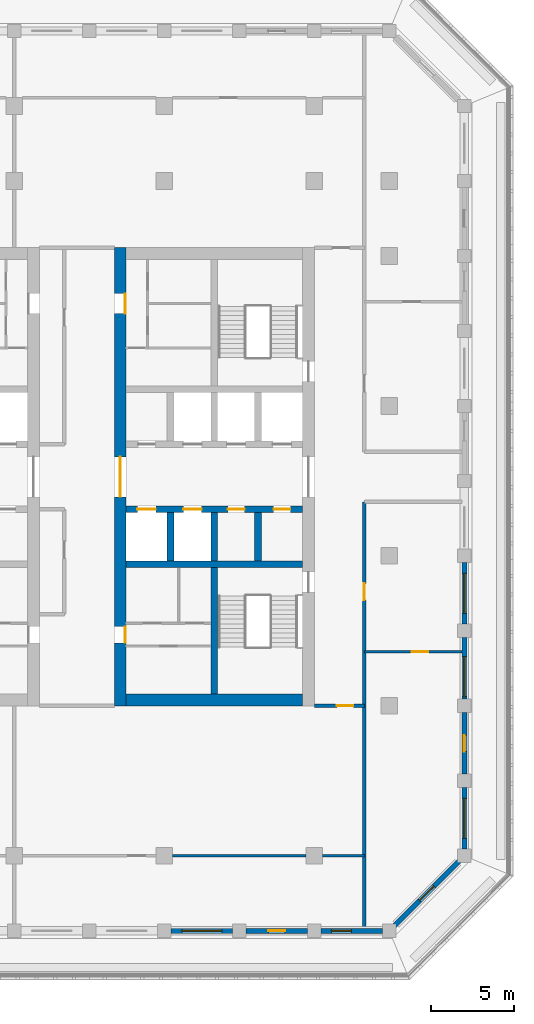
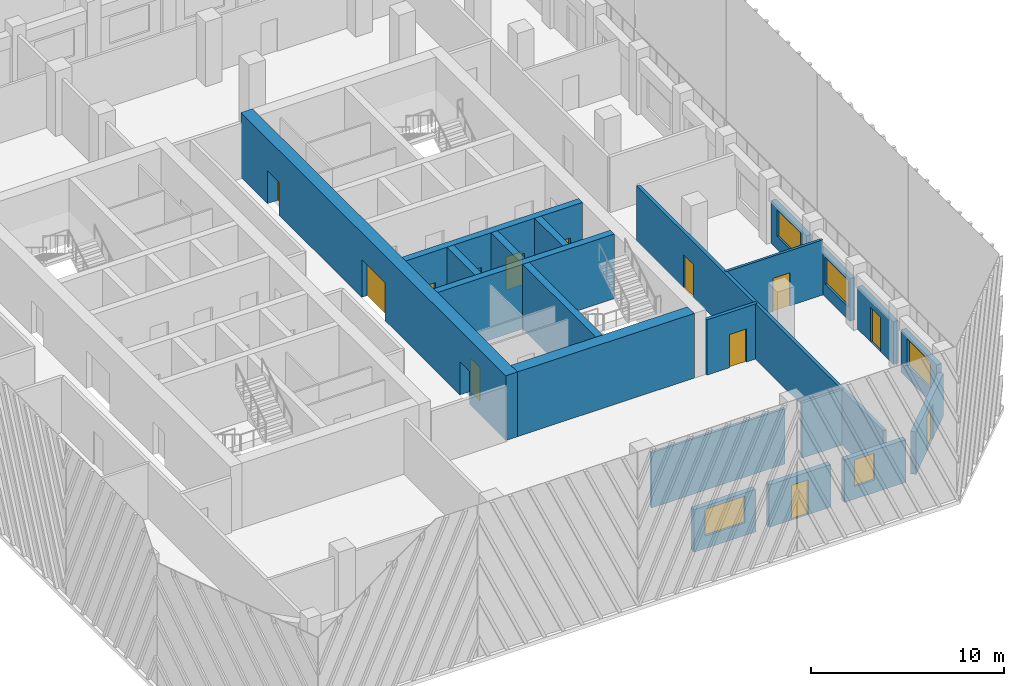
# One storey, part 4 of 17: 21 walls, 13 doors, 5 windows, 18 openings.
"""IFC4 building model written with IfcOpenShell, lengths in metres."""

from ifc_helpers import new_model, si_unit, direction, frame, frame_2d, origin, place, context, subcontext, project, spatial, rectangle, extrude, material, layer, layer_set, type_object, element, fill, save


model = new_model("IFC4")

# Units and contexts
model_context = context("Model", 3, precision=1e-05, world=origin(), true_north=direction((0.0, 1.0)))
body_context = subcontext(model_context, "Body", "Model", "MODEL_VIEW")
ifc_project = project(units=[si_unit("LENGTHUNIT", "METRE"), si_unit("AREAUNIT", "SQUARE_METRE"), si_unit("VOLUMEUNIT", "CUBIC_METRE"), si_unit("PLANEANGLEUNIT", "RADIAN"), si_unit("MASSUNIT", "GRAM", prefix="KILO")], contexts=[model_context])

# Site, building, storey
site_placement = place(None, origin())
site = spatial("IfcSite", under=ifc_project, at=site_placement, CompositionType="ELEMENT")
building_placement = place(site_placement, origin())
building = spatial("IfcBuilding", under=site, at=building_placement, Name="Corbel Stack Research Tower", CompositionType="ELEMENT")
storey_placement = place(building_placement, frame((0.0, 0.0, 256.199951171875)))
storey = spatial("IfcBuildingStorey", under=building, at=storey_placement, Name="L58", CompositionType="ELEMENT", Elevation=256.199951171875)

# Wall
ifc_material_1 = material(Name="Concrete C60/75", Category="concrete")
ifc_layer_1 = layer(ifc_material_1, 0.39990234375)
ifc_layer_set_1 = layer_set([ifc_layer_1], Name="Concrete C60/75")
wall_type_1 = type_object("IfcWallType", Name="CW-400-60", PredefinedType="SHEAR", material=ifc_layer_set_1)
wall_1_placement = place(storey_placement, frame((6.699951171875, -0.5, 0.0), z_axis=(0.0, 0.0, 1.0), x_axis=(1.0, 0.0, 0.0)))
element("IfcWall", 1, at=wall_1_placement, inside=storey, type_object=wall_type_1, Name="East core wall, south row back L58", PredefinedType="SHEAR", context=body_context, shape_type="SweptSolid", body=[
    extrude(rectangle(XDim=10.60009765625, YDim=0.39990234375, at=frame_2d((5.300048828125, 0.0))), origin(), (0.0, 0.0, 1.0), 4.10009765625),
])

# Wall, openings, doors
wall_2_placement = place(storey_placement, frame((6.699951171875, 2.800048828125, 0.0), z_axis=(0.0, 0.0, 1.0), x_axis=(1.0, 0.0, 0.0)))
wall_2 = element("IfcWall", 2, at=wall_2_placement, inside=storey, type_object=wall_type_1, Name="East core wall, lobby south L58", PredefinedType="SHEAR", context=body_context, shape_type="SweptSolid", body=[
    extrude(rectangle(XDim=10.60009765625, YDim=0.39990234375, at=frame_2d((5.300048828125, 0.0))), origin(), (0.0, 0.0, 1.0), 4.10009765625),
])
opening_1_placement = place(wall_2_placement, frame((0.6875, 0.0, 0.0)))
opening_1 = element("IfcOpeningElement", 3, at=opening_1_placement, cuts=wall_2, Name="Opening LD-FS2", PredefinedType="OPENING", context=body_context, shape_type="SweptSolid", body=[
    extrude(rectangle(XDim=1.10009765625, YDim=2.10009765625, at=frame_2d((0.550048828125, 1.050048828125))), frame((0.0, 0.2099609375, 0.0), z_axis=(0.0, -1.0, 0.0), x_axis=(1.0, 0.0, 0.0)), (0.0, 0.0, 1.0), 0.419921875),
])
opening_2_placement = place(wall_2_placement, frame((3.4375, 0.0, 0.0)))
opening_2 = element("IfcOpeningElement", 4, at=opening_2_placement, cuts=wall_2, Name="Opening LD-GL2", PredefinedType="OPENING", context=body_context, shape_type="SweptSolid", body=[
    extrude(rectangle(XDim=1.10009765625, YDim=2.10009765625, at=frame_2d((0.550048828125, 1.050048828125))), frame((0.0, 0.2099609375, 0.0), z_axis=(0.0, -1.0, 0.0), x_axis=(1.0, 0.0, 0.0)), (0.0, 0.0, 1.0), 0.419921875),
])
opening_3_placement = place(wall_2_placement, frame((6.112548828125, 0.0, 0.0)))
opening_3 = element("IfcOpeningElement", 5, at=opening_3_placement, cuts=wall_2, Name="Opening CR-E24-S3", PredefinedType="OPENING", context=body_context, shape_type="SweptSolid", body=[
    extrude(rectangle(XDim=1.0, YDim=2.10009765625, at=frame_2d((0.5, 1.050048828125))), frame((0.0, 0.2099609375, 0.0), z_axis=(0.0, -1.0, 0.0), x_axis=(1.0, 0.0, 0.0)), (0.0, 0.0, 1.0), 0.419921875),
])
opening_4_placement = place(wall_2_placement, frame((8.862548828125, 0.0, 0.0)))
opening_4 = element("IfcOpeningElement", 6, at=opening_4_placement, cuts=wall_2, Name="Opening CR-E24-S4", PredefinedType="OPENING", context=body_context, shape_type="SweptSolid", body=[
    extrude(rectangle(XDim=1.0, YDim=2.10009765625, at=frame_2d((0.5, 1.050048828125))), frame((0.0, 0.2099609375, 0.0), z_axis=(0.0, -1.0, 0.0), x_axis=(1.0, 0.0, 0.0)), (0.0, 0.0, 1.0), 0.419921875),
])
ifc_material_2 = material(Name="Stainless steel landing door", Category="steel")
door_type_1 = type_object("IfcDoorType", Name="Lift landing door 1100 x 2100", OperationType="DOUBLE_DOOR_SLIDING", PredefinedType="DOOR", material=ifc_material_2)
door_1_placement = place(opening_1_placement, origin())
door_1 = element("IfcDoor", 7, at=door_1_placement, inside=storey, type_object=door_type_1, Name="Landing door FS2", OperationType="DOUBLE_DOOR_SLIDING", OverallHeight=2.10009765625, OverallWidth=1.10009765625, PredefinedType="DOOR", context=body_context, shape_type="SweptSolid", body=[
    extrude(rectangle(XDim=1.10009765625, YDim=2.10009765625, at=frame_2d((0.550048828125, 1.050048828125))), frame((0.0, 0.02490234375, 0.0), z_axis=(0.0, -1.0, 0.0), x_axis=(1.0, 0.0, 0.0)), (0.0, 0.0, 1.0), 0.050048828125),
])
fill(opening_1, door_1)
door_2_placement = place(opening_2_placement, origin())
door_2 = element("IfcDoor", 8, at=door_2_placement, inside=storey, type_object=door_type_1, Name="Landing door GL2", OperationType="DOUBLE_DOOR_SLIDING", OverallHeight=2.10009765625, OverallWidth=1.10009765625, PredefinedType="DOOR", context=body_context, shape_type="SweptSolid", body=[
    extrude(rectangle(XDim=1.10009765625, YDim=2.10009765625, at=frame_2d((0.550048828125, 1.050048828125))), frame((0.0, 0.02490234375, 0.0), z_axis=(0.0, -1.0, 0.0), x_axis=(1.0, 0.0, 0.0)), (0.0, 0.0, 1.0), 0.050048828125),
])
fill(opening_2, door_2)
ifc_material_3 = material(Name="Painted steel door", Category="steel")
door_type_2 = type_object("IfcDoorType", Name="Service door 1000 x 2100 FD60 left hand", OperationType="SINGLE_SWING_LEFT", PredefinedType="DOOR", material=ifc_material_3)
door_3_placement = place(opening_3_placement, origin())
door_3 = element("IfcDoor", 9, at=door_3_placement, inside=storey, type_object=door_type_2, Name="Staff WC door E core", OperationType="SINGLE_SWING_LEFT", OverallHeight=2.10009765625, OverallWidth=1.0, PredefinedType="DOOR", context=body_context, shape_type="SweptSolid", body=[
    extrude(rectangle(XDim=1.0, YDim=2.10009765625, at=frame_2d((0.5, 1.050048828125))), frame((0.0, 0.02490234375, 0.0), z_axis=(0.0, -1.0, 0.0), x_axis=(1.0, 0.0, 0.0)), (0.0, 0.0, 1.0), 0.050048828125),
])
fill(opening_3, door_3)
ifc_material_4 = material(Name="Painted steel door", Category="steel")
door_type_3 = type_object("IfcDoorType", Name="Service door 1000 x 2100 FD60 right hand", OperationType="SINGLE_SWING_RIGHT", PredefinedType="DOOR", material=ifc_material_4)
door_4_placement = place(opening_4_placement, origin())
door_4 = element("IfcDoor", 10, at=door_4_placement, inside=storey, type_object=door_type_3, Name="Laboratory consumables store door E core", OperationType="SINGLE_SWING_RIGHT", OverallHeight=2.10009765625, OverallWidth=1.0, PredefinedType="DOOR", context=body_context, shape_type="SweptSolid", body=[
    extrude(rectangle(XDim=1.0, YDim=2.10009765625, at=frame_2d((0.5, 1.050048828125))), frame((0.0, 0.02490234375, 0.0), z_axis=(0.0, -1.0, 0.0), x_axis=(1.0, 0.0, 0.0)), (0.0, 0.0, 1.0), 0.050048828125),
])
fill(opening_4, door_4)

# Walls
for number, where, z_axis, x_axis, name in (
    (11, (9.375, -0.300048828125, 0.0), (0.0, 0.0, 1.0), (0.0, 1.0, 0.0), "East core wall, south shaft 1 L58"),
    (12, (12.0, -0.300048828125, 0.0), (0.0, 0.0, 1.0), (0.0, 1.0, 0.0), "East core wall, south shaft 2 L58"),
    (13, (14.625, -0.300048828125, 0.0), (0.0, 0.0, 1.0), (0.0, 1.0, 0.0), "East core wall, south shaft 3 L58"),
):
    element("IfcWall", number, at=place(storey_placement, frame(where, z_axis=z_axis, x_axis=x_axis)), inside=storey, type_object=wall_type_1, Name=name, PredefinedType="SHEAR", context=body_context, shape_type="SweptSolid", body=[
        extrude(rectangle(XDim=2.900146484375, YDim=0.39990234375, at=frame_2d((1.4501953125, 0.0))), origin(), (0.0, 0.0, 1.0), 4.10009765625),
    ])
wall_3_placement = place(storey_placement, frame((12.0, -8.300048828125, 0.0), z_axis=(0.0, 0.0, 1.0), x_axis=(0.0, 1.0, 0.0)))
element("IfcWall", 14, at=wall_3_placement, inside=storey, type_object=wall_type_1, Name="East core wall, south stair and WC L58", PredefinedType="SHEAR", context=body_context, shape_type="SweptSolid", body=[
    extrude(rectangle(XDim=7.60009765625, YDim=0.39990234375, at=frame_2d((3.800048828125, 0.0))), origin(), (0.0, 0.0, 1.0), 4.10009765625),
])

# Wall, openings, doors
ifc_material_5 = material(Name="Concrete C60/75", Category="concrete")
ifc_layer_2 = layer(ifc_material_5, 0.699951171875)
ifc_layer_set_2 = layer_set([ifc_layer_2], Name="Concrete C60/75")
wall_type_2 = type_object("IfcWallType", Name="CW-700-60", PredefinedType="SHEAR", material=ifc_layer_set_2)
wall_4_placement = place(storey_placement, frame((6.35009765625, -9.0, 0.0), z_axis=(0.0, 0.0, 1.0), x_axis=(0.0, 1.0, 0.0)))
wall_4 = element("IfcWall", 15, at=wall_4_placement, inside=storey, type_object=wall_type_2, Name="East core wall, west face L58", PredefinedType="SHEAR", context=body_context, shape_type="SweptSolid", body=[
    extrude(rectangle(XDim=27.5, YDim=0.699951171875, at=frame_2d((13.75, 0.0))), origin(), (0.0, 0.0, 1.0), 4.10009765625),
])
opening_5_placement = place(wall_4_placement, frame((12.550048828125, 0.0, 0.0)))
opening_5 = element("IfcOpeningElement", 16, at=opening_5_placement, cuts=wall_4, Name="Opening CD-E-W", PredefinedType="OPENING", context=body_context, shape_type="SweptSolid", body=[
    extrude(rectangle(XDim=2.39990234375, YDim=2.39990234375, at=frame_2d((1.199951171875, 1.199951171875))), frame((0.0, 0.35986328125, 0.0), z_axis=(0.0, -1.0, 0.0), x_axis=(1.0, 0.0, 0.0)), (0.0, 0.0, 1.0), 0.719970703125),
])
opening_6_placement = place(wall_4_placement, frame((3.7880859375, 0.0, 0.0)))
opening_6 = element("IfcOpeningElement", 17, at=opening_6_placement, cuts=wall_4, Name="Opening CR-E24-W1-968", PredefinedType="OPENING", context=body_context, shape_type="SweptSolid", body=[
    extrude(rectangle(XDim=0.968017578125, YDim=2.10009765625, at=frame_2d((0.48388671875, 1.050048828125))), frame((0.0, 0.35986328125, 0.0), z_axis=(0.0, -1.0, 0.0), x_axis=(1.0, 0.0, 0.0)), (0.0, 0.0, 1.0), 0.719970703125),
])
opening_7_placement = place(wall_4_placement, frame((23.5400390625, 0.0, 0.0)))
opening_7 = element("IfcOpeningElement", 18, at=opening_7_placement, cuts=wall_4, Name="Opening CR-E24-R2-1200", PredefinedType="OPENING", context=body_context, shape_type="SweptSolid", body=[
    extrude(rectangle(XDim=1.199951171875, YDim=2.10009765625, at=frame_2d((0.60009765625, 1.050048828125))), frame((0.0, 0.35986328125, 0.0), z_axis=(0.0, -1.0, 0.0), x_axis=(1.0, 0.0, 0.0)), (0.0, 0.0, 1.0), 0.719970703125),
])
ifc_material_6 = material(Name="Painted steel fire door", Category="steel")
door_type_4 = type_object("IfcDoorType", Name="Lobby door pair 2400 x 2400 FD30S", OperationType="DOUBLE_DOOR_DOUBLE_SWING", PredefinedType="DOOR", material=ifc_material_6)
door_5_placement = place(opening_5_placement, origin())
door_5 = element("IfcDoor", 19, at=door_5_placement, inside=storey, type_object=door_type_4, Name="Lift lobby door E core W", OperationType="DOUBLE_DOOR_DOUBLE_SWING", OverallHeight=2.39990234375, OverallWidth=2.39990234375, PredefinedType="DOOR", context=body_context, shape_type="SweptSolid", body=[
    extrude(rectangle(XDim=2.39990234375, YDim=2.39990234375, at=frame_2d((1.199951171875, 1.199951171875))), frame((0.0, 0.02490234375, 0.0), z_axis=(0.0, -1.0, 0.0), x_axis=(1.0, 0.0, 0.0)), (0.0, 0.0, 1.0), 0.050048828125),
])
fill(opening_5, door_5)
ifc_material_7 = material(Name="Painted steel door", Category="steel")
door_type_5 = type_object("IfcDoorType", Name="Service door 1200 x 2100 FD30 left hand", OperationType="SINGLE_SWING_LEFT", PredefinedType="DOOR", material=ifc_material_7)
door_6_placement = place(opening_7_placement, origin())
door_6 = element("IfcDoor", 20, at=door_6_placement, inside=storey, type_object=door_type_5, Name="Service passage door E core", OperationType="SINGLE_SWING_LEFT", OverallHeight=2.10009765625, OverallWidth=1.199951171875, PredefinedType="DOOR", context=body_context, shape_type="SweptSolid", body=[
    extrude(rectangle(XDim=1.199951171875, YDim=2.10009765625, at=frame_2d((0.60009765625, 1.050048828125))), frame((0.0, -0.27490234375, 0.0), z_axis=(0.0, -1.0, 0.0), x_axis=(1.0, 0.0, 0.0)), (0.0, 0.0, 1.0), 0.050048828125),
])
fill(opening_7, door_6)
ifc_material_8 = material(Name="Painted timber door", Category="wood")
door_type_6 = type_object("IfcDoorType", Name="WC door 968 x 2100 right hand", OperationType="SINGLE_SWING_RIGHT", PredefinedType="DOOR", material=ifc_material_8)
door_7_placement = place(opening_6_placement, origin())
door_7 = element("IfcDoor", 21, at=door_7_placement, inside=storey, type_object=door_type_6, Name="WC lobby door E core", OperationType="SINGLE_SWING_RIGHT", OverallHeight=2.10009765625, OverallWidth=0.968017578125, PredefinedType="DOOR", context=body_context, shape_type="SweptSolid", body=[
    extrude(rectangle(XDim=0.968017578125, YDim=2.10009765625, at=frame_2d((0.48388671875, 1.050048828125))), frame((0.0, -0.27490234375, 0.0), z_axis=(0.0, -1.0, 0.0), x_axis=(1.0, 0.0, 0.0)), (0.0, 0.0, 1.0), 0.050048828125),
])
fill(opening_6, door_7)

# Wall
wall_5_placement = place(storey_placement, frame((6.699951171875, -8.64990234375, 0.0), z_axis=(0.0, 0.0, 1.0), x_axis=(1.0, 0.0, 0.0)))
element("IfcWall", 22, at=wall_5_placement, inside=storey, type_object=wall_type_2, Name="East core wall, south end L58", PredefinedType="SHEAR", context=body_context, shape_type="SweptSolid", body=[
    extrude(rectangle(XDim=10.60009765625, YDim=0.699951171875, at=frame_2d((5.300048828125, 0.0))), origin(), (0.0, 0.0, 1.0), 4.10009765625),
])

# Wall, opening, door
ifc_material_9 = material(Name="Fire-rated gypsum board partition on steel studs", Category="steel")
ifc_layer_3 = layer(ifc_material_9, 0.199951171875)
ifc_layer_set_3 = layer_set([ifc_layer_3], Name="Fire-rated gypsum board partition on steel studs")
wall_type_3 = type_object("IfcWallType", Name="Fire-rated partition 200 EI 60", PredefinedType="PARTITIONING", material=ifc_layer_set_3)
wall_6_placement = place(storey_placement, frame((21.0, 3.25, 0.0), z_axis=(0.0, 0.0, 1.0), x_axis=(0.0, -1.0, 0.0)))
wall_6 = element("IfcWall", 23, at=wall_6_placement, inside=storey, type_object=wall_type_3, Name="Partition L58-010", PredefinedType="PARTITIONING", context=body_context, shape_type="SweptSolid", body=[
    extrude(rectangle(XDim=25.60009765625, YDim=0.199951171875, at=frame_2d((12.800048828125, 0.0))), origin(), (0.0, 0.0, 1.0), 3.5),
])
opening_8_placement = place(wall_6_placement, frame((4.89990234375, 0.0, 0.0)))
opening_8 = element("IfcOpeningElement", 24, at=opening_8_placement, cuts=wall_6, Name="Opening B7V2-015", PredefinedType="OPENING", context=body_context, shape_type="SweptSolid", body=[
    extrude(rectangle(XDim=1.0, YDim=2.10009765625, at=frame_2d((0.5, 1.050048828125))), frame((0.0, 0.10986328125, 0.0), z_axis=(0.0, -1.0, 0.0), x_axis=(1.0, 0.0, 0.0)), (0.0, 0.0, 1.0), 0.219970703125),
])
ifc_material_10 = material(Name="Painted steel fire door", Category="steel")
door_type_7 = type_object("IfcDoorType", Name="Fire door FD30S 1000 x 2100", OperationType="NOTDEFINED", PredefinedType="DOOR", material=ifc_material_10)
door_8_placement = place(opening_8_placement, origin())
door_8 = element("IfcDoor", 25, at=door_8_placement, inside=storey, type_object=door_type_7, Name="Door B7V2-015", OperationType="SINGLE_SWING_LEFT", OverallHeight=2.10009765625, OverallWidth=1.0, PredefinedType="DOOR", context=body_context, shape_type="SweptSolid", body=[
    extrude(rectangle(XDim=1.0, YDim=2.10009765625, at=frame_2d((0.5, 1.050048828125))), frame((0.0, 0.02490234375, 0.0), z_axis=(0.0, -1.0, 0.0), x_axis=(1.0, 0.0, 0.0)), (0.0, 0.0, 1.0), 0.050048828125),
])
fill(opening_8, door_8)

wall_7_placement = place(storey_placement, frame((21.0, -9.0, 0.0), z_axis=(0.0, 0.0, 1.0), x_axis=(-1.0, 0.0, 0.0)))
wall_7 = element("IfcWall", 26, at=wall_7_placement, inside=storey, type_object=wall_type_3, Name="Partition L58-019", PredefinedType="PARTITIONING", context=body_context, shape_type="SweptSolid", body=[
    extrude(rectangle(XDim=3.0, YDim=0.199951171875, at=frame_2d((1.5, 0.0))), origin(), (0.0, 0.0, 1.0), 3.5),
])
opening_9_placement = place(wall_7_placement, frame((0.64990234375, 0.0, 0.0)))
opening_9 = element("IfcOpeningElement", 27, at=opening_9_placement, cuts=wall_7, Name="Opening B7V2-006", PredefinedType="OPENING", context=body_context, shape_type="SweptSolid", body=[
    extrude(rectangle(XDim=1.0, YDim=2.10009765625, at=frame_2d((0.5, 1.050048828125))), frame((0.0, 0.10986328125, 0.0), z_axis=(0.0, -1.0, 0.0), x_axis=(1.0, 0.0, 0.0)), (0.0, 0.0, 1.0), 0.219970703125),
])
door_9_placement = place(opening_9_placement, origin())
door_9 = element("IfcDoor", 28, at=door_9_placement, inside=storey, type_object=door_type_7, Name="Door B7V2-006", OperationType="SINGLE_SWING_LEFT", OverallHeight=2.10009765625, OverallWidth=1.0, PredefinedType="DOOR", context=body_context, shape_type="SweptSolid", body=[
    extrude(rectangle(XDim=1.0, YDim=2.10009765625, at=frame_2d((0.5, 1.050048828125))), frame((0.0, 0.02490234375, 0.0), z_axis=(0.0, -1.0, 0.0), x_axis=(1.0, 0.0, 0.0)), (0.0, 0.0, 1.0), 0.050048828125),
])
fill(opening_9, door_9)

# Walls
ifc_material_11 = material(Name="Gypsum board partition on steel studs", Category="steel")
ifc_layer_4 = layer(ifc_material_11, 0.14990234375)
ifc_layer_set_4 = layer_set([ifc_layer_4], Name="Gypsum board partition on steel studs")
wall_type_4 = type_object("IfcWallType", Name="Partition 150", PredefinedType="PARTITIONING", material=ifc_layer_set_4)
wall_8_placement = place(storey_placement, frame((9.5, -18.0, 0.0), z_axis=(0.0, 0.0, 1.0), x_axis=(1.0, 0.0, 0.0)))
element("IfcWall", 29, at=wall_8_placement, inside=storey, type_object=wall_type_4, Name="Partition L58-015", PredefinedType="PARTITIONING", context=body_context, shape_type="SweptSolid", body=[
    extrude(rectangle(XDim=8.0, YDim=0.14990234375, at=frame_2d((4.0, 0.0))), origin(), (0.0, 0.0, 1.0), 3.5),
])
wall_9_placement = place(storey_placement, frame((18.5, -18.0, 0.0), z_axis=(0.0, 0.0, 1.0), x_axis=(1.0, 0.0, 0.0)))
element("IfcWall", 30, at=wall_9_placement, inside=storey, type_object=wall_type_4, Name="Partition L58-016", PredefinedType="PARTITIONING", context=body_context, shape_type="SweptSolid", body=[
    extrude(rectangle(XDim=2.5, YDim=0.14990234375, at=frame_2d((1.25, 0.0))), origin(), (0.0, 0.0, 1.0), 3.5),
])

# Wall, opening, door
wall_10_placement = place(storey_placement, frame((26.85009765625, -5.75, 0.0), z_axis=(0.0, 0.0, 1.0), x_axis=(-1.0, 0.0, 0.0)))
wall_10 = element("IfcWall", 31, at=wall_10_placement, inside=storey, type_object=wall_type_4, Name="Partition L58-021", PredefinedType="PARTITIONING", context=body_context, shape_type="SweptSolid", body=[
    extrude(rectangle(XDim=5.85009765625, YDim=0.14990234375, at=frame_2d((2.925048828125, 0.0))), origin(), (0.0, 0.0, 1.0), 3.5),
])
opening_10_placement = place(wall_10_placement, frame((2.0, 0.0, 0.0)))
opening_10 = element("IfcOpeningElement", 32, at=opening_10_placement, cuts=wall_10, Name="Opening B7V2-008", PredefinedType="OPENING", context=body_context, shape_type="SweptSolid", body=[
    extrude(rectangle(XDim=1.0, YDim=2.10009765625, at=frame_2d((0.5, 1.050048828125))), frame((0.0, 0.0849609375, 0.0), z_axis=(0.0, -1.0, 0.0), x_axis=(1.0, 0.0, 0.0)), (0.0, 0.0, 1.0), 0.169921875),
])
ifc_material_12 = material(Name="Painted timber door", Category="wood")
door_type_8 = type_object("IfcDoorType", Name="Single door 1000 x 2100", OperationType="NOTDEFINED", PredefinedType="DOOR", material=ifc_material_12)
door_10_placement = place(opening_10_placement, origin())
door_10 = element("IfcDoor", 33, at=door_10_placement, inside=storey, type_object=door_type_8, Name="Door B7V2-008", OperationType="SINGLE_SWING_LEFT", OverallHeight=2.10009765625, OverallWidth=1.0, PredefinedType="DOOR", context=body_context, shape_type="SweptSolid", body=[
    extrude(rectangle(XDim=1.0, YDim=2.10009765625, at=frame_2d((0.5, 1.050048828125))), frame((0.0, 0.02490234375, 0.0), z_axis=(0.0, -1.0, 0.0), x_axis=(1.0, 0.0, 0.0)), (0.0, 0.0, 1.0), 0.050048828125),
])
fill(opening_10, door_10)

# Wall, opening, window
ifc_material_13 = material(Name="Concrete C45/55", Category="concrete")
ifc_layer_5 = layer(ifc_material_13, 0.300048828125)
ifc_layer_set_5 = layer_set([ifc_layer_5], Name="Concrete C45/55")
wall_type_5 = type_object("IfcWallType", Name="Terracotta-faced concrete wall 300", PredefinedType="SOLIDWALL", material=ifc_layer_set_5)
wall_11_placement = place(storey_placement, frame((13.10009765625, -22.5, 0.0), z_axis=(0.0, 0.0, 1.0), x_axis=(-1.0, 0.0, 0.0)))
wall_11 = element("IfcWall", 34, at=wall_11_placement, inside=storey, type_object=wall_type_5, Name="Facade wall L58 S06", PredefinedType="SOLIDWALL", context=body_context, shape_type="SweptSolid", body=[
    extrude(rectangle(XDim=3.7001953125, YDim=0.300048828125, at=frame_2d((1.85009765625, 0.0))), origin(), (0.0, 0.0, 1.0), 2.699951171875),
])
opening_11_placement = place(wall_11_placement, frame((0.64990234375, 0.0, 0.800048828125)))
opening_11 = element("IfcOpeningElement", 35, at=opening_11_placement, cuts=wall_11, Name="Opening W1", PredefinedType="OPENING", context=body_context, shape_type="SweptSolid", body=[
    extrude(rectangle(XDim=2.39990234375, YDim=1.699951171875, at=frame_2d((1.199951171875, 0.85009765625))), frame((0.0, 0.159912109375, 0.0), z_axis=(0.0, -1.0, 0.0), x_axis=(1.0, 0.0, 0.0)), (0.0, 0.0, 1.0), 0.320068359375),
])
ifc_material_14 = material(Name="Aluminium frame, clear double glazing", Category="aluminium")
window_type_1 = type_object("IfcWindowType", Name="Window W1 2400 x 1700", PartitioningType="SINGLE_PANEL", PredefinedType="WINDOW", material=ifc_material_14)
window_1_placement = place(opening_11_placement, origin())
window_1 = element("IfcWindow", 36, at=window_1_placement, inside=storey, type_object=window_type_1, Name="Window W1 L58 S06", OverallHeight=1.699951171875, OverallWidth=2.39990234375, PartitioningType="SINGLE_PANEL", PredefinedType="WINDOW", context=body_context, shape_type="SweptSolid", body=[
    extrude(rectangle(XDim=2.39990234375, YDim=1.699951171875, at=frame_2d((1.199951171875, 0.85009765625))), frame((0.0, 0.030029296875, 0.0), z_axis=(0.0, -1.0, 0.0), x_axis=(1.0, 0.0, 0.0)), (0.0, 0.0, 1.0), 0.06005859375),
])
fill(opening_11, window_1)

# Wall, opening, door
wall_12_placement = place(storey_placement, frame((17.60009765625, -22.5, 0.0), z_axis=(0.0, 0.0, 1.0), x_axis=(-1.0, 0.0, 0.0)))
wall_12 = element("IfcWall", 37, at=wall_12_placement, inside=storey, type_object=wall_type_5, Name="Facade wall L58 S07", PredefinedType="SOLIDWALL", context=body_context, shape_type="SweptSolid", body=[
    extrude(rectangle(XDim=3.7001953125, YDim=0.300048828125, at=frame_2d((1.85009765625, 0.0))), origin(), (0.0, 0.0, 1.0), 2.699951171875),
])
opening_12_placement = place(wall_12_placement, frame((1.35009765625, 0.0, 0.0)))
opening_12 = element("IfcOpeningElement", 38, at=opening_12_placement, cuts=wall_12, Name="Opening L58-B02", PredefinedType="OPENING", context=body_context, shape_type="SweptSolid", body=[
    extrude(rectangle(XDim=1.0, YDim=2.199951171875, at=frame_2d((0.5, 1.10009765625))), frame((0.0, 0.159912109375, 0.0), z_axis=(0.0, -1.0, 0.0), x_axis=(1.0, 0.0, 0.0)), (0.0, 0.0, 1.0), 0.320068359375),
])
ifc_material_15 = material(Name="Aluminium frame, clear double glazing", Category="aluminium")
door_type_9 = type_object("IfcDoorType", Name="Balcony door BD1 1000 x 2200", OperationType="NOTDEFINED", PredefinedType="DOOR", material=ifc_material_15)
door_11_placement = place(opening_12_placement, origin())
door_11 = element("IfcDoor", 39, at=door_11_placement, inside=storey, type_object=door_type_9, Name="Balcony door L58-B02", OperationType="SINGLE_SWING_LEFT", OverallHeight=2.199951171875, OverallWidth=1.0, PredefinedType="DOOR", context=body_context, shape_type="SweptSolid", body=[
    extrude(rectangle(XDim=1.0, YDim=2.199951171875, at=frame_2d((0.5, 1.10009765625))), frame((0.0, 0.02490234375, 0.0), z_axis=(0.0, -1.0, 0.0), x_axis=(1.0, 0.0, 0.0)), (0.0, 0.0, 1.0), 0.050048828125),
])
fill(opening_12, door_11)

# Wall, opening, window
wall_13_placement = place(storey_placement, frame((22.10009765625, -22.5, 0.0), z_axis=(0.0, 0.0, 1.0), x_axis=(-1.0, 0.0, 0.0)))
wall_13 = element("IfcWall", 40, at=wall_13_placement, inside=storey, type_object=wall_type_5, Name="Facade wall L58 S08", PredefinedType="SOLIDWALL", context=body_context, shape_type="SweptSolid", body=[
    extrude(rectangle(XDim=3.7001953125, YDim=0.300048828125, at=frame_2d((1.85009765625, 0.0))), origin(), (0.0, 0.0, 1.0), 2.699951171875),
])
opening_13_placement = place(wall_13_placement, frame((1.875, 0.0, 0.800048828125)))
opening_13 = element("IfcOpeningElement", 41, at=opening_13_placement, cuts=wall_13, Name="Opening W2", PredefinedType="OPENING", context=body_context, shape_type="SweptSolid", body=[
    extrude(rectangle(XDim=1.199951171875, YDim=1.699951171875, at=frame_2d((0.60009765625, 0.85009765625))), frame((0.0, 0.159912109375, 0.0), z_axis=(0.0, -1.0, 0.0), x_axis=(1.0, 0.0, 0.0)), (0.0, 0.0, 1.0), 0.320068359375),
])
ifc_material_16 = material(Name="Aluminium frame, clear double glazing", Category="aluminium")
window_type_2 = type_object("IfcWindowType", Name="Window W2 1200 x 1700", PartitioningType="SINGLE_PANEL", PredefinedType="WINDOW", material=ifc_material_16)
window_2_placement = place(opening_13_placement, origin())
window_2 = element("IfcWindow", 42, at=window_2_placement, inside=storey, type_object=window_type_2, Name="Window W2 L58 S08", OverallHeight=1.699951171875, OverallWidth=1.199951171875, PartitioningType="SINGLE_PANEL", PredefinedType="WINDOW", context=body_context, shape_type="SweptSolid", body=[
    extrude(rectangle(XDim=1.199951171875, YDim=1.699951171875, at=frame_2d((0.60009765625, 0.85009765625))), frame((0.0, 0.030029296875, 0.0), z_axis=(0.0, -1.0, 0.0), x_axis=(1.0, 0.0, 0.0)), (0.0, 0.0, 1.0), 0.06005859375),
])
fill(opening_13, window_2)

# Wall, opening, door
wall_14_placement = place(storey_placement, frame((26.7060546875, -18.2939453125, 0.0), z_axis=(0.0, 0.0, 1.0), x_axis=(-0.707106781187, -0.707106781187, 0.0)))
wall_14 = element("IfcWall", 43, at=wall_14_placement, inside=storey, type_object=wall_type_5, Name="Facade wall L58 SE01", PredefinedType="SOLIDWALL", context=body_context, shape_type="SweptSolid", body=[
    extrude(rectangle(XDim=5.532470703125, YDim=0.300048828125, at=frame_2d((2.76611328125, 0.0))), origin(), (0.0, 0.0, 1.0), 2.699951171875),
])
opening_14_placement = place(wall_14_placement, frame((2.166259765625, 0.0, 0.0)))
opening_14 = element("IfcOpeningElement", 44, at=opening_14_placement, cuts=wall_14, Name="Opening L58-B03", PredefinedType="OPENING", context=body_context, shape_type="SweptSolid", body=[
    extrude(rectangle(XDim=1.199951171875, YDim=2.199951171875, at=frame_2d((0.60009765625, 1.10009765625))), frame((0.0, 0.159912109375, 0.0), z_axis=(0.0, -1.0, 0.0), x_axis=(1.0, 0.0, 0.0)), (0.0, 0.0, 1.0), 0.320068359375),
])
ifc_material_17 = material(Name="Aluminium frame, clear double glazing", Category="aluminium")
door_type_10 = type_object("IfcDoorType", Name="Balcony door BD2 1200 x 2200", OperationType="NOTDEFINED", PredefinedType="DOOR", material=ifc_material_17)
door_12_placement = place(opening_14_placement, origin())
door_12 = element("IfcDoor", 45, at=door_12_placement, inside=storey, type_object=door_type_10, Name="Balcony door L58-B03", OperationType="SINGLE_SWING_LEFT", OverallHeight=2.199951171875, OverallWidth=1.199951171875, PredefinedType="DOOR", context=body_context, shape_type="SweptSolid", body=[
    extrude(rectangle(XDim=1.199951171875, YDim=2.199951171875, at=frame_2d((0.60009765625, 1.10009765625))), frame((0.0, 0.02490234375, 0.0), z_axis=(0.0, -1.0, 0.0), x_axis=(1.0, 0.0, 0.0)), (0.0, 0.0, 1.0), 0.050048828125),
])
fill(opening_14, door_12)

# Wall, opening, window
wall_15_placement = place(storey_placement, frame((27.0, -13.89990234375, 0.0), z_axis=(0.0, 0.0, 1.0), x_axis=(0.0, -1.0, 0.0)))
wall_15 = element("IfcWall", 46, at=wall_15_placement, inside=storey, type_object=wall_type_5, Name="Facade wall L58 E01", PredefinedType="SOLIDWALL", context=body_context, shape_type="SweptSolid", body=[
    extrude(rectangle(XDim=3.7001953125, YDim=0.300048828125, at=frame_2d((1.85009765625, 0.0))), origin(), (0.0, 0.0, 1.0), 2.699951171875),
])
opening_15_placement = place(wall_15_placement, frame((0.64990234375, 0.0, 0.800048828125)))
opening_15 = element("IfcOpeningElement", 47, at=opening_15_placement, cuts=wall_15, Name="Opening W1", PredefinedType="OPENING", context=body_context, shape_type="SweptSolid", body=[
    extrude(rectangle(XDim=2.39990234375, YDim=1.699951171875, at=frame_2d((1.199951171875, 0.85009765625))), frame((0.0, 0.159912109375, 0.0), z_axis=(0.0, -1.0, 0.0), x_axis=(1.0, 0.0, 0.0)), (0.0, 0.0, 1.0), 0.320068359375),
])
window_3_placement = place(opening_15_placement, origin())
window_3 = element("IfcWindow", 48, at=window_3_placement, inside=storey, type_object=window_type_1, Name="Window W1 L58 E01", OverallHeight=1.699951171875, OverallWidth=2.39990234375, PartitioningType="SINGLE_PANEL", PredefinedType="WINDOW", context=body_context, shape_type="SweptSolid", body=[
    extrude(rectangle(XDim=2.39990234375, YDim=1.699951171875, at=frame_2d((1.199951171875, 0.85009765625))), frame((0.0, 0.030029296875, 0.0), z_axis=(0.0, -1.0, 0.0), x_axis=(1.0, 0.0, 0.0)), (0.0, 0.0, 1.0), 0.06005859375),
])
fill(opening_15, window_3)

# Wall, opening, door
wall_16_placement = place(storey_placement, frame((27.0, -9.39990234375, 0.0), z_axis=(0.0, 0.0, 1.0), x_axis=(0.0, -1.0, 0.0)))
wall_16 = element("IfcWall", 49, at=wall_16_placement, inside=storey, type_object=wall_type_5, Name="Facade wall L58 E02", PredefinedType="SOLIDWALL", context=body_context, shape_type="SweptSolid", body=[
    extrude(rectangle(XDim=3.7001953125, YDim=0.300048828125, at=frame_2d((1.85009765625, 0.0))), origin(), (0.0, 0.0, 1.0), 2.699951171875),
])
opening_16_placement = place(wall_16_placement, frame((1.35009765625, 0.0, 0.0)))
opening_16 = element("IfcOpeningElement", 50, at=opening_16_placement, cuts=wall_16, Name="Opening L58-B04", PredefinedType="OPENING", context=body_context, shape_type="SweptSolid", body=[
    extrude(rectangle(XDim=1.0, YDim=2.199951171875, at=frame_2d((0.5, 1.10009765625))), frame((0.0, 0.159912109375, 0.0), z_axis=(0.0, -1.0, 0.0), x_axis=(1.0, 0.0, 0.0)), (0.0, 0.0, 1.0), 0.320068359375),
])
door_13_placement = place(opening_16_placement, origin())
door_13 = element("IfcDoor", 51, at=door_13_placement, inside=storey, type_object=door_type_9, Name="Balcony door L58-B04", OperationType="SINGLE_SWING_RIGHT", OverallHeight=2.199951171875, OverallWidth=1.0, PredefinedType="DOOR", context=body_context, shape_type="SweptSolid", body=[
    extrude(rectangle(XDim=1.0, YDim=2.199951171875, at=frame_2d((0.5, 1.10009765625))), frame((0.0, 0.02490234375, 0.0), z_axis=(0.0, -1.0, 0.0), x_axis=(1.0, 0.0, 0.0)), (0.0, 0.0, 1.0), 0.050048828125),
])
fill(opening_16, door_13)

# Wall, opening, window
wall_17_placement = place(storey_placement, frame((27.0, -4.89990234375, 0.0), z_axis=(0.0, 0.0, 1.0), x_axis=(0.0, -1.0, 0.0)))
wall_17 = element("IfcWall", 52, at=wall_17_placement, inside=storey, type_object=wall_type_5, Name="Facade wall L58 E03", PredefinedType="SOLIDWALL", context=body_context, shape_type="SweptSolid", body=[
    extrude(rectangle(XDim=3.7001953125, YDim=0.300048828125, at=frame_2d((1.85009765625, 0.0))), origin(), (0.0, 0.0, 1.0), 2.699951171875),
])
opening_17_placement = place(wall_17_placement, frame((1.137451171875, 0.0, 0.800048828125)))
opening_17 = element("IfcOpeningElement", 53, at=opening_17_placement, cuts=wall_17, Name="Opening W1", PredefinedType="OPENING", context=body_context, shape_type="SweptSolid", body=[
    extrude(rectangle(XDim=2.39990234375, YDim=1.699951171875, at=frame_2d((1.199951171875, 0.85009765625))), frame((0.0, 0.159912109375, 0.0), z_axis=(0.0, -1.0, 0.0), x_axis=(1.0, 0.0, 0.0)), (0.0, 0.0, 1.0), 0.320068359375),
])
window_4_placement = place(opening_17_placement, origin())
window_4 = element("IfcWindow", 54, at=window_4_placement, inside=storey, type_object=window_type_1, Name="Window W1 L58 E03", OverallHeight=1.699951171875, OverallWidth=2.39990234375, PartitioningType="SINGLE_PANEL", PredefinedType="WINDOW", context=body_context, shape_type="SweptSolid", body=[
    extrude(rectangle(XDim=2.39990234375, YDim=1.699951171875, at=frame_2d((1.199951171875, 0.85009765625))), frame((0.0, 0.030029296875, 0.0), z_axis=(0.0, -1.0, 0.0), x_axis=(1.0, 0.0, 0.0)), (0.0, 0.0, 1.0), 0.06005859375),
])
fill(opening_17, window_4)

wall_18_placement = place(storey_placement, frame((27.0, -0.39990234375, 0.0), z_axis=(0.0, 0.0, 1.0), x_axis=(0.0, -1.0, 0.0)))
wall_18 = element("IfcWall", 55, at=wall_18_placement, inside=storey, type_object=wall_type_5, Name="Facade wall L58 E04", PredefinedType="SOLIDWALL", context=body_context, shape_type="SweptSolid", body=[
    extrude(rectangle(XDim=3.7001953125, YDim=0.300048828125, at=frame_2d((1.85009765625, 0.0))), origin(), (0.0, 0.0, 1.0), 2.699951171875),
])
opening_18_placement = place(wall_18_placement, frame((0.64990234375, 0.0, 0.800048828125)))
opening_18 = element("IfcOpeningElement", 56, at=opening_18_placement, cuts=wall_18, Name="Opening W1", PredefinedType="OPENING", context=body_context, shape_type="SweptSolid", body=[
    extrude(rectangle(XDim=2.39990234375, YDim=1.699951171875, at=frame_2d((1.199951171875, 0.85009765625))), frame((0.0, 0.159912109375, 0.0), z_axis=(0.0, -1.0, 0.0), x_axis=(1.0, 0.0, 0.0)), (0.0, 0.0, 1.0), 0.320068359375),
])
window_5_placement = place(opening_18_placement, origin())
window_5 = element("IfcWindow", 57, at=window_5_placement, inside=storey, type_object=window_type_1, Name="Window W1 L58 E04", OverallHeight=1.699951171875, OverallWidth=2.39990234375, PartitioningType="SINGLE_PANEL", PredefinedType="WINDOW", context=body_context, shape_type="SweptSolid", body=[
    extrude(rectangle(XDim=2.39990234375, YDim=1.699951171875, at=frame_2d((1.199951171875, 0.85009765625))), frame((0.0, 0.030029296875, 0.0), z_axis=(0.0, -1.0, 0.0), x_axis=(1.0, 0.0, 0.0)), (0.0, 0.0, 1.0), 0.06005859375),
])
fill(opening_18, window_5)

save(model, "model.ifc")
